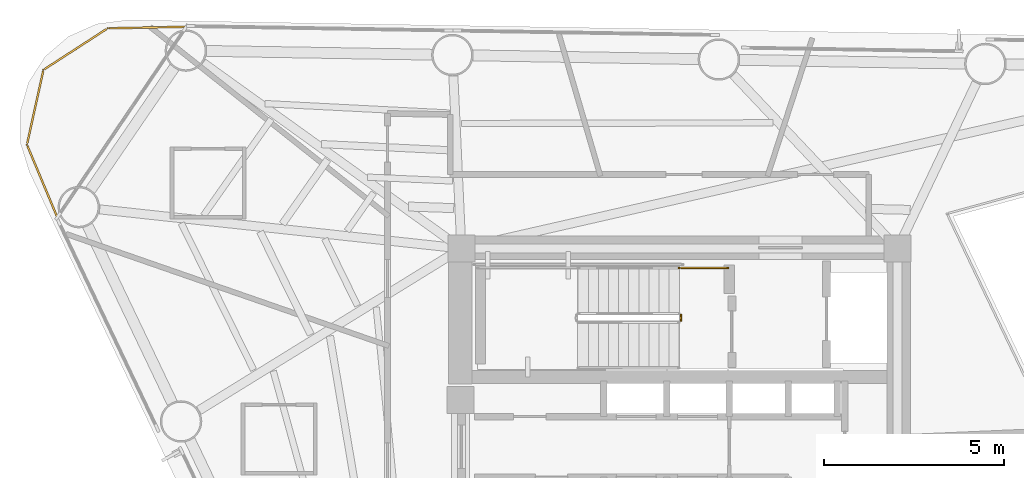
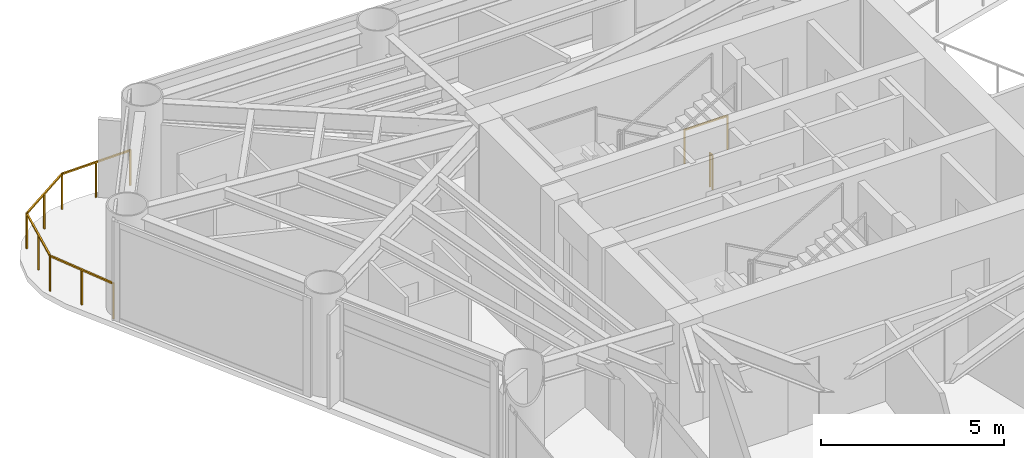
# One storey, part 8 of 9: 3 railings.
"""IFC4 building model written with IfcOpenShell, lengths in metres."""

from ifc_helpers import new_model, si_unit, direction, frame, origin, origin_2d, place, context, subcontext, project, spatial, rectangle, extrude, material, type_object, element, save


model = new_model("IFC4")

# Units and contexts
model_context = context("Model", 3, precision=1e-05, world=origin(), true_north=direction((0.0, 1.0)))
body_context = subcontext(model_context, "Body", "Model", "MODEL_VIEW")
ifc_project = project(units=[si_unit("LENGTHUNIT", "METRE"), si_unit("AREAUNIT", "SQUARE_METRE"), si_unit("VOLUMEUNIT", "CUBIC_METRE"), si_unit("PLANEANGLEUNIT", "RADIAN"), si_unit("MASSUNIT", "GRAM", prefix="KILO")], contexts=[model_context])

# Site, building, storey
site_placement = place(None, origin())
site = spatial("IfcSite", under=ifc_project, at=site_placement, CompositionType="ELEMENT")
building_placement = place(site_placement, origin())
building = spatial("IfcBuilding", under=site, at=building_placement, Name="Yunling Apex Tower", CompositionType="ELEMENT")
storey_placement = place(building_placement, frame((0.0, 0.0, 205.25)))
storey = spatial("IfcBuildingStorey", under=building, at=storey_placement, Name="L50", CompositionType="ELEMENT", Elevation=205.25)

# Railings
ifc_material_1 = material(Name="Bronze anodised aluminium", Category="aluminium")
railing_type_1 = type_object("IfcRailingType", Name="RL-BAL-1200", PredefinedType="BALUSTRADE", material=ifc_material_1)
railing_1_placement = place(storey_placement, frame((-17.253662109375, 6.364990234375, 0.0)))
element("IfcRailing", 1, at=railing_1_placement, inside=storey, type_object=railing_type_1, Name="RL-CRNSILL-L50-2", PredefinedType="BALUSTRADE", context=body_context, shape_type="SweptSolid", body=[
    extrude(rectangle(XDim=0.0439453125, YDim=0.0439453125, at=origin_2d()), origin(), (0.0, 0.0, 1.0), 1.199951171875),
    extrude(rectangle(XDim=0.0439453125, YDim=0.0439453125, at=origin_2d()), frame((-0.842529296875, 2.01416015625, 0.0)), (0.0, 0.0, 1.0), 1.199951171875),
    extrude(rectangle(XDim=0.050048828125, YDim=0.050048828125, at=origin_2d()), frame((-0.014892578125, 0.035400390625, 1.1748046875), z_axis=(-0.385901306975, 0.922540070282, 0.0), x_axis=(-0.922540070282, -0.385901306975, 0.0)), (0.0, 0.0, 1.0), 2.106689453125),
    extrude(rectangle(XDim=0.0439453125, YDim=0.0439453125, at=origin_2d()), frame((-0.42138671875, 1.007080078125, 0.0)), (0.0, 0.0, 1.0), 1.14599609375),
    extrude(rectangle(XDim=0.0439453125, YDim=0.0439453125, at=origin_2d()), frame((-0.384521484375, 4.089111328125, 0.0)), (0.0, 0.0, 1.0), 1.199951171875),
    extrude(rectangle(XDim=0.050048828125, YDim=0.050048828125, at=origin_2d()), frame((-0.834228515625, 2.051513671875, 1.1748046875), z_axis=(0.215543386307, 0.976494264509, 0.0), x_axis=(-0.976494264509, 0.215543386307, 0.0)), (0.0, 0.0, 1.0), 2.04833984375),
    extrude(rectangle(XDim=0.0439453125, YDim=0.0439453125, at=origin_2d()), frame((-0.613525390625, 3.0517578125, 0.0)), (0.0, 0.0, 1.0), 1.14599609375),
    extrude(rectangle(XDim=0.0439453125, YDim=0.0439453125, at=origin_2d()), frame((1.393310546875, 5.240234375, 0.0)), (0.0, 0.0, 1.0), 1.199951171875),
    extrude(rectangle(XDim=0.050048828125, YDim=0.050048828125, at=origin_2d()), frame((-0.352294921875, 4.10986328125, 1.1748046875), z_axis=(0.839406208654, 0.543504569322, 0.0), x_axis=(-0.543504569322, 0.839406208654, 0.0)), (0.0, 0.0, 1.0), 2.041259765625),
    extrude(rectangle(XDim=0.0439453125, YDim=0.0439453125, at=origin_2d()), frame((0.50439453125, 4.66455078125, 0.0)), (0.0, 0.0, 1.0), 1.14599609375),
    extrude(rectangle(XDim=0.0439453125, YDim=0.0439453125, at=origin_2d()), frame((3.5771484375, 5.284423828125, 0.0)), (0.0, 0.0, 1.0), 1.199951171875),
    extrude(rectangle(XDim=0.050048828125, YDim=0.050048828125, at=origin_2d()), frame((1.431640625, 5.240966796875, 1.1748046875), z_axis=(0.999795339927, 0.020230626778, 0.0), x_axis=(-0.020230626778, 0.999795339927, 0.0)), (0.0, 0.0, 1.0), 2.107666015625),
    extrude(rectangle(XDim=0.0439453125, YDim=0.0439453125, at=origin_2d()), frame((2.4853515625, 5.26220703125, 0.0)), (0.0, 0.0, 1.0), 1.14599609375),
])
ifc_material_2 = material(Name="Steel Q355B", Category="steel")
railing_type_2 = type_object("IfcRailingType", Name="RL-GRD-1150", PredefinedType="GUARDRAIL", material=ifc_material_2)
railing_2_placement = place(storey_placement, frame((0.0400390625, 3.64990234375, 0.0)))
element("IfcRailing", 2, at=railing_2_placement, inside=storey, type_object=railing_type_2, Name="L50 ST-1 stair guard 5", PredefinedType="GUARDRAIL", context=body_context, shape_type="SweptSolid", body=[
    extrude(rectangle(XDim=0.0439453125, YDim=0.0439453125, at=origin_2d()), origin(), (0.0, 0.0, 1.0), 1.14990234375),
    extrude(rectangle(XDim=0.0439453125, YDim=0.0439453125, at=origin_2d()), frame((0.0, -0.14990234375, 0.0)), (0.0, 0.0, 1.0), 1.14990234375),
    extrude(rectangle(XDim=0.050048828125, YDim=0.050048828125, at=origin_2d()), frame((0.0, -0.038330078125, 1.125), z_axis=(0.0, -1.0, 0.0), x_axis=(1.0, 0.0, 0.0)), (0.0, 0.0, 1.0), 0.0732421875),
])
railing_3_placement = place(storey_placement, frame((1.35009765625, 4.9599609375, 0.0)))
element("IfcRailing", 3, at=railing_3_placement, inside=storey, type_object=railing_type_2, Name="L50 ST-1 stair guard 6", PredefinedType="GUARDRAIL", context=body_context, shape_type="SweptSolid", body=[
    extrude(rectangle(XDim=0.0439453125, YDim=0.0439453125, at=origin_2d()), origin(), (0.0, 0.0, 1.0), 1.14990234375),
    extrude(rectangle(XDim=0.0439453125, YDim=0.0439453125, at=origin_2d()), frame((-1.360107421875, 0.0, 0.0)), (0.0, 0.0, 1.0), 1.14990234375),
    extrude(rectangle(XDim=0.050048828125, YDim=0.050048828125, at=origin_2d()), frame((-0.038330078125, 0.0, 1.125), z_axis=(-1.0, 0.0, 0.0), x_axis=(0.0, -1.0, 0.0)), (0.0, 0.0, 1.0), 1.283447265625),
])

save(model, "model.ifc")
